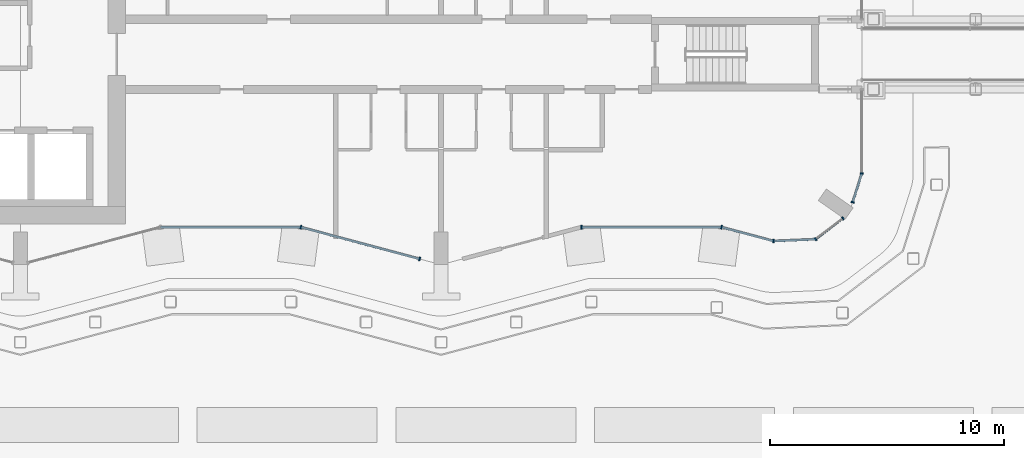
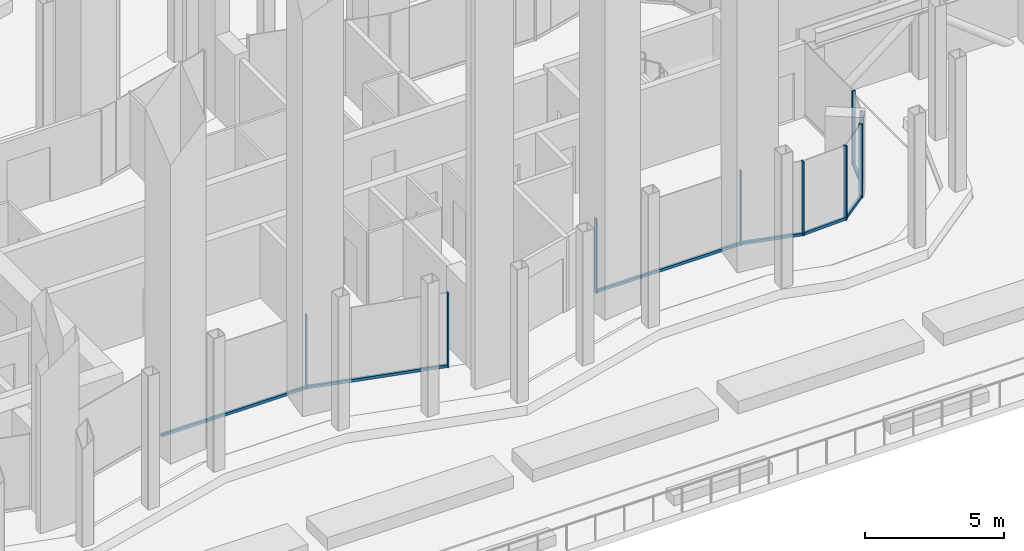
# One storey, part 8 of 33: 16 members, 8 elements without a shape of their own.
"""IFC4 building model written with IfcOpenShell, lengths in metres."""

from ifc_helpers import new_model, si_unit, direction, frame, origin, origin_2d, place, context, subcontext, project, spatial, rectangle, extrude, material, layer, layer_set, material_profile, profile_set, type_object, element, aggregate, save


model = new_model("IFC4")

# Units and contexts
model_context = context("Model", 3, precision=1e-05, world=origin(), true_north=direction((0.0, 1.0)))
body_context = subcontext(model_context, "Body", "Model", "MODEL_VIEW")
ifc_project = project(units=[si_unit("LENGTHUNIT", "METRE"), si_unit("AREAUNIT", "SQUARE_METRE"), si_unit("VOLUMEUNIT", "CUBIC_METRE"), si_unit("PLANEANGLEUNIT", "RADIAN"), si_unit("MASSUNIT", "GRAM", prefix="KILO")], contexts=[model_context])

# Site, building, storey
site_placement = place(None, origin())
site = spatial("IfcSite", under=ifc_project, at=site_placement, CompositionType="ELEMENT")
building_placement = place(site_placement, origin())
building = spatial("IfcBuilding", under=site, at=building_placement, Name="Plateau Cross Towers", CompositionType="ELEMENT")
storey_placement = place(building_placement, frame((0.0, 0.0, 26.800048828125)))
storey = spatial("IfcBuildingStorey", under=building, at=storey_placement, Name="L05", CompositionType="ELEMENT", Elevation=26.800048828125)

# Curtain wall, member
ifc_material_1 = material(Name="Dark low-iron glass", Category="glass")
ifc_layer_1 = layer(ifc_material_1, 0.239990234375)
ifc_layer_set_1 = layer_set([ifc_layer_1], Name="Dark low-iron glass")
curtain_wall_type_1 = type_object("IfcCurtainWallType", Name="Curtain wall flush unitised CW-B", PredefinedType="NOTDEFINED", material=ifc_layer_set_1)
curtain_wall_1_placement = place(storey_placement, origin())
curtain_wall_1 = element("IfcCurtainWall", 1, at=curtain_wall_1_placement, inside=storey, type_object=curtain_wall_type_1, Name="ENV/A/L05/A502_10", PredefinedType="NOTDEFINED")
ifc_material_2 = material(Name="Black anodised aluminium", Category="aluminium")
ifc_material_profile_1 = material_profile(ifc_material_2, rectangle(XDim=0.06005859375, YDim=0.139892578125, at=origin_2d()), Name="MULLION 60x140")
ifc_profile_set_1 = profile_set([ifc_material_profile_1], Name="Black anodised aluminium")
member_type_1 = type_object("IfcMemberType", Name="Mullion 60x140 flush unitised", PredefinedType="MULLION", material=ifc_profile_set_1)
member_1_placement = place(storey_placement, frame((50.223876953125, 1.01123046875, 0.0), z_axis=(0.0, 0.0, 1.0), x_axis=(0.999043701491, 0.043722791671, 0.0)))
member_1 = element("IfcMember", 2, at=member_1_placement, type_object=member_type_1, Name="CW-B mullion 1", PredefinedType="MULLION", context=body_context, shape_type="SweptSolid", body=[
    extrude(rectangle(XDim=0.06005859375, YDim=0.139892578125, at=origin_2d()), origin(), (0.0, 0.0, 1.0), 3.25),
])

# Curtain wall, members
curtain_wall_2_placement = place(storey_placement, origin())
curtain_wall_2 = element("IfcCurtainWall", 3, at=curtain_wall_2_placement, inside=storey, type_object=curtain_wall_type_1, Name="ENV/A/L05/A520_11", PredefinedType="NOTDEFINED")
member_2_placement = place(storey_placement, frame((52.0263671875, 1.090087890625, 0.0), z_axis=(0.0, 0.0, 1.0), x_axis=(0.793315514529, 0.608810721331, 0.0)))
member_2 = element("IfcMember", 4, at=member_2_placement, type_object=member_type_1, Name="CW-B mullion 1", PredefinedType="MULLION", context=body_context, shape_type="SweptSolid", body=[
    extrude(rectangle(XDim=0.06005859375, YDim=0.139892578125, at=origin_2d()), origin(), (0.0, 0.0, 1.0), 3.25),
])
member_3_placement = place(storey_placement, frame((53.193603515625, 1.986083984375, 0.0), z_axis=(0.0, 0.0, 1.0), x_axis=(0.793315514529, 0.608810721331, 0.0)))
member_3 = element("IfcMember", 5, at=member_3_placement, type_object=member_type_1, Name="CW-B mullion 2", PredefinedType="MULLION", context=body_context, shape_type="SweptSolid", body=[
    extrude(rectangle(XDim=0.06005859375, YDim=0.139892578125, at=origin_2d()), origin(), (0.0, 0.0, 1.0), 3.25),
])

# Curtain wall, member
curtain_wall_3_placement = place(storey_placement, origin())
curtain_wall_3 = element("IfcCurtainWall", 6, at=curtain_wall_3_placement, inside=storey, type_object=curtain_wall_type_1, Name="ENV/A/L05/A536_27", PredefinedType="NOTDEFINED")
member_4_placement = place(storey_placement, frame((53.611083984375, 2.67529296875, 0.0), z_axis=(0.0, 0.0, 1.0), x_axis=(0.300686174994, 0.95372313811, 0.0)))
member_4 = element("IfcMember", 7, at=member_4_placement, type_object=member_type_1, Name="CW-B mullion 1", PredefinedType="MULLION", context=body_context, shape_type="SweptSolid", body=[
    extrude(rectangle(XDim=0.06005859375, YDim=0.139892578125, at=origin_2d()), origin(), (0.0, 0.0, 1.0), 3.25),
])

curtain_wall_4_placement = place(storey_placement, origin())
curtain_wall_4 = element("IfcCurtainWall", 8, at=curtain_wall_4_placement, inside=storey, type_object=curtain_wall_type_1, Name="ENV/A/L05/A540_39", PredefinedType="NOTDEFINED")
member_5_placement = place(storey_placement, frame((54.0, 3.9091796875, 0.0), z_axis=(0.0, 0.0, 1.0), x_axis=(0.0, 1.0, 0.0)))
member_5 = element("IfcMember", 9, at=member_5_placement, type_object=member_type_1, Name="CW-B mullion 1", PredefinedType="MULLION", context=body_context, shape_type="SweptSolid", body=[
    extrude(rectangle(XDim=0.06005859375, YDim=0.139892578125, at=origin_2d()), origin(), (0.0, 0.0, 1.0), 3.25),
])
aggregate(curtain_wall_4, [member_5])

# Curtain wall, members
ifc_layer_2 = layer(ifc_material_1, 0.260009765625)
ifc_layer_set_2 = layer_set([ifc_layer_2], Name="Dark low-iron glass")
curtain_wall_type_2 = type_object("IfcCurtainWallType", Name="Curtain wall fluted unitised CW-A", PredefinedType="NOTDEFINED", material=ifc_layer_set_2)
curtain_wall_5_placement = place(storey_placement, origin())
curtain_wall_5 = element("IfcCurtainWall", 10, at=curtain_wall_5_placement, inside=storey, type_object=curtain_wall_type_2, Name="ENV/A/L05/A300_16", PredefinedType="NOTDEFINED")
ifc_material_profile_2 = material_profile(ifc_material_2, rectangle(XDim=0.06005859375, YDim=0.159912109375, at=origin_2d()), Name="MULLION 60x160")
ifc_profile_set_2 = profile_set([ifc_material_profile_2], Name="Black anodised aluminium")
member_type_2 = type_object("IfcMemberType", Name="Mullion 60x160 fluted unitised", PredefinedType="MULLION", material=ifc_profile_set_2)
member_6_placement = place(storey_placement, frame((30.0, 1.60693359375, 0.0), z_axis=(0.0, 0.0, 1.0), x_axis=(0.965957983404, -0.258699003279, 0.0)))
member_6 = element("IfcMember", 11, at=member_6_placement, type_object=member_type_2, Name="CW-A mullion 1", PredefinedType="MULLION", context=body_context, shape_type="SweptSolid", body=[
    extrude(rectangle(XDim=0.06005859375, YDim=0.159912109375, at=origin_2d()), origin(), (0.0, 0.0, 1.0), 3.25),
])
member_7_placement = place(storey_placement, frame((35.08203125, 0.245849609375, 0.0), z_axis=(0.0, 0.0, 1.0), x_axis=(0.965957983404, -0.258699003279, 0.0)))
member_7 = element("IfcMember", 12, at=member_7_placement, type_object=member_type_2, Name="CW-A mullion 2", PredefinedType="MULLION", context=body_context, shape_type="SweptSolid", body=[
    extrude(rectangle(XDim=0.06005859375, YDim=0.159912109375, at=origin_2d()), origin(), (0.0, 0.0, 1.0), 3.25),
])

# Curtain wall, member
curtain_wall_6_placement = place(storey_placement, origin())
curtain_wall_6 = element("IfcCurtainWall", 13, at=curtain_wall_6_placement, inside=storey, type_object=curtain_wall_type_2, Name="ENV/A/L05/A420_16", PredefinedType="NOTDEFINED")
member_8_placement = place(storey_placement, frame((42.0, 1.60693359375, 0.0), z_axis=(0.0, 0.0, 1.0), x_axis=(1.0, 0.0, 0.0)))
member_8 = element("IfcMember", 14, at=member_8_placement, type_object=member_type_2, Name="CW-A mullion 1", PredefinedType="MULLION", context=body_context, shape_type="SweptSolid", body=[
    extrude(rectangle(XDim=0.06005859375, YDim=0.159912109375, at=origin_2d()), origin(), (0.0, 0.0, 1.0), 3.25),
])

curtain_wall_7_placement = place(storey_placement, origin())
curtain_wall_7 = element("IfcCurtainWall", 15, at=curtain_wall_7_placement, inside=storey, type_object=curtain_wall_type_2, Name="ENV/A/L05/A480_16", PredefinedType="NOTDEFINED")
member_9_placement = place(storey_placement, frame((48.0, 1.60693359375, 0.0), z_axis=(0.0, 0.0, 1.0), x_axis=(0.965957962328, -0.258699081978, 0.0)))
member_9 = element("IfcMember", 16, at=member_9_placement, type_object=member_type_2, Name="CW-A mullion 1", PredefinedType="MULLION", context=body_context, shape_type="SweptSolid", body=[
    extrude(rectangle(XDim=0.06005859375, YDim=0.159912109375, at=origin_2d()), origin(), (0.0, 0.0, 1.0), 3.25),
])

# Member
ifc_material_profile_3 = material_profile(ifc_material_2, rectangle(XDim=0.10009765625, YDim=0.1201171875, at=origin_2d()), Name="TRANSOM 100x120")
ifc_profile_set_3 = profile_set([ifc_material_profile_3], Name="Black anodised aluminium")
member_type_3 = type_object("IfcMemberType", Name="Transom 100x120 flush unitised", PredefinedType="USERDEFINED", material=ifc_profile_set_3)
member_10_placement = place(storey_placement, frame((50.223876953125, 1.01123046875, 0.06005859375), z_axis=(0.999044377355, 0.043707345779, 0.0), x_axis=(-0.043707345779, 0.999044377355, 0.0)))
member_10 = element("IfcMember", 17, at=member_10_placement, type_object=member_type_3, Name="CW-B transom", ObjectType="TRANSOM", PredefinedType="USERDEFINED", context=body_context, shape_type="SweptSolid", body=[
    extrude(rectangle(XDim=0.10009765625, YDim=0.1201171875, at=origin_2d()), origin(), (0.0, 0.0, 1.0), 1.80419921875),
])

aggregate(curtain_wall_1, [member_1, member_10])

member_11_placement = place(storey_placement, frame((52.0263671875, 1.090087890625, 0.06005859375), z_axis=(0.793240368515, 0.608908628415, 0.0), x_axis=(-0.608908628415, 0.793240368515, 0.0)))
member_11 = element("IfcMember", 18, at=member_11_placement, type_object=member_type_3, Name="CW-B transom", ObjectType="TRANSOM", PredefinedType="USERDEFINED", context=body_context, shape_type="SweptSolid", body=[
    extrude(rectangle(XDim=0.10009765625, YDim=0.1201171875, at=origin_2d()), origin(), (0.0, 0.0, 1.0), 1.471435546875),
])

aggregate(curtain_wall_2, [member_2, member_3, member_11])

member_12_placement = place(storey_placement, frame((53.611083984375, 2.67529296875, 0.06005859375), z_axis=(0.300616528216, 0.953745093284, 0.0), x_axis=(-0.953745093284, 0.300616528216, 0.0)))
member_12 = element("IfcMember", 19, at=member_12_placement, type_object=member_type_3, Name="CW-B transom", ObjectType="TRANSOM", PredefinedType="USERDEFINED", context=body_context, shape_type="SweptSolid", body=[
    extrude(rectangle(XDim=0.10009765625, YDim=0.1201171875, at=origin_2d()), origin(), (0.0, 0.0, 1.0), 1.293701171875),
])

aggregate(curtain_wall_3, [member_4, member_12])

# Curtain wall, member
curtain_wall_8_placement = place(storey_placement, origin())
curtain_wall_8 = element("IfcCurtainWall", 20, at=curtain_wall_8_placement, inside=storey, type_object=curtain_wall_type_2, Name="ENV/A/L05/A240_16", PredefinedType="NOTDEFINED")
ifc_material_profile_4 = material_profile(ifc_material_2, rectangle(XDim=0.10009765625, YDim=0.1201171875, at=origin_2d()), Name="TRANSOM 100x120")
ifc_profile_set_4 = profile_set([ifc_material_profile_4], Name="Black anodised aluminium")
member_type_4 = type_object("IfcMemberType", Name="Transom 100x120 fluted unitised", PredefinedType="USERDEFINED", material=ifc_profile_set_4)
member_13_placement = place(storey_placement, frame((24.0, 1.60693359375, 0.06005859375), z_axis=(1.0, 0.0, 0.0), x_axis=(0.0, 1.0, 0.0)))
member_13 = element("IfcMember", 21, at=member_13_placement, type_object=member_type_4, Name="CW-A transom", ObjectType="TRANSOM", PredefinedType="USERDEFINED", context=body_context, shape_type="SweptSolid", body=[
    extrude(rectangle(XDim=0.10009765625, YDim=0.1201171875, at=origin_2d()), origin(), (0.0, 0.0, 1.0), 6.0),
])
aggregate(curtain_wall_8, [member_13])

# Member
member_14_placement = place(storey_placement, frame((30.0, 1.60693359375, 0.06005859375), z_axis=(0.965956335063, -0.258705157954, 0.0), x_axis=(0.258705157954, 0.965956335063, 0.0)))
member_14 = element("IfcMember", 22, at=member_14_placement, type_object=member_type_4, Name="CW-A transom", ObjectType="TRANSOM", PredefinedType="USERDEFINED", context=body_context, shape_type="SweptSolid", body=[
    extrude(rectangle(XDim=0.10009765625, YDim=0.1201171875, at=origin_2d()), origin(), (0.0, 0.0, 1.0), 5.26123046875),
])

aggregate(curtain_wall_5, [member_6, member_7, member_14])

member_15_placement = place(storey_placement, frame((42.0, 1.60693359375, 0.06005859375), z_axis=(1.0, 0.0, 0.0), x_axis=(0.0, 1.0, 0.0)))
member_15 = element("IfcMember", 23, at=member_15_placement, type_object=member_type_4, Name="CW-A transom", ObjectType="TRANSOM", PredefinedType="USERDEFINED", context=body_context, shape_type="SweptSolid", body=[
    extrude(rectangle(XDim=0.10009765625, YDim=0.1201171875, at=origin_2d()), origin(), (0.0, 0.0, 1.0), 6.0),
])

aggregate(curtain_wall_6, [member_8, member_15])

member_16_placement = place(storey_placement, frame((48.0, 1.60693359375, 0.06005859375), z_axis=(0.965945685136, -0.258744919501, 0.0), x_axis=(0.258744919501, 0.965945685136, 0.0)))
member_16 = element("IfcMember", 24, at=member_16_placement, type_object=member_type_4, Name="CW-A transom", ObjectType="TRANSOM", PredefinedType="USERDEFINED", context=body_context, shape_type="SweptSolid", body=[
    extrude(rectangle(XDim=0.10009765625, YDim=0.1201171875, at=origin_2d()), origin(), (0.0, 0.0, 1.0), 2.30224609375),
])

aggregate(curtain_wall_7, [member_9, member_16])

save(model, "model.ifc")
